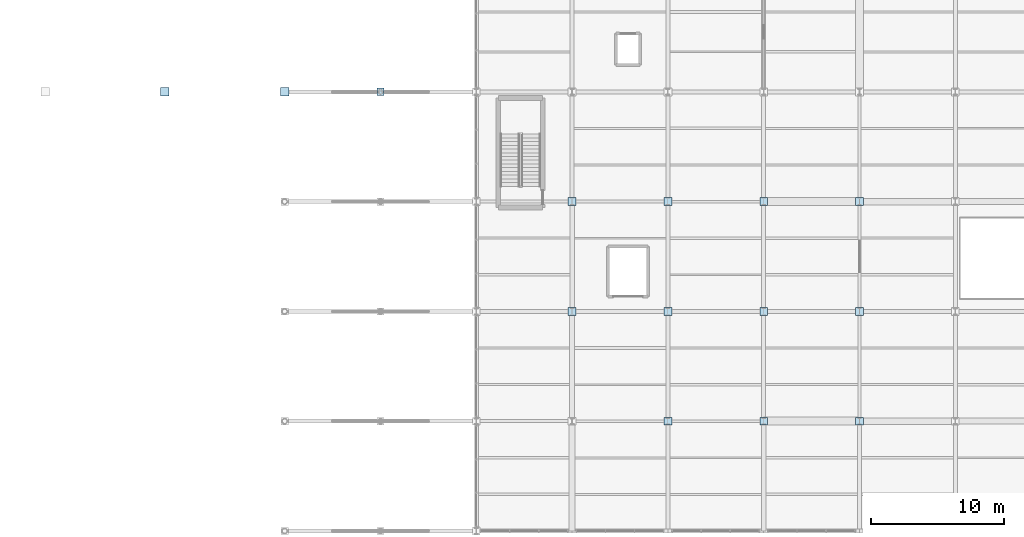
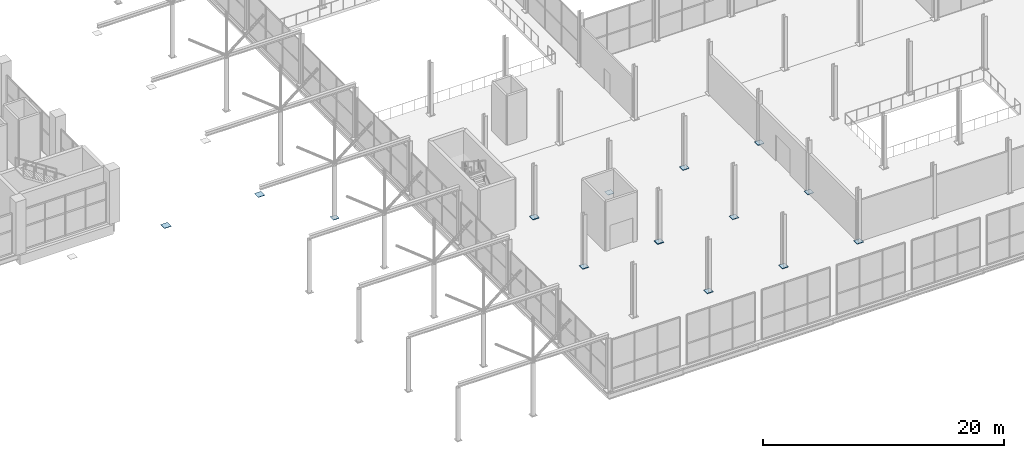
# One storey, part 122 of 147: 14 plates.
"""IFC4 building model written with IfcOpenShell, lengths in metres."""

import ifcopenshell
import ifcopenshell.guid

model = None  # the IFC model being written
_history = None  # IfcOwnerHistory: only IFC2X3 demands one
_inside = {}  # id of a spatial element -> (the spatial element, [elements in it])
_under = {}  # id of a project, library or spatial element -> (it, [spatial elements below it])
_declared = {}  # id of a project -> (the project, [libraries it declares])
_typed = {}  # id of a type object -> (the type object, [elements of that type])
_made_of = {}  # id of a material, layer set ... -> (it, [elements and type objects made of it])


def new_model(schema):
    """Start an empty IFC model of exactly this schema.

    Asked for "IFC4X3", IfcOpenShell would pick the latest addendum, in which some entities
    have other attributes; the version numbers below select the first issue.
    IFC2X3 requires an IfcOwnerHistory on every rooted entity: one is made here for all.
    """
    global model, _history
    if schema == "IFC4X3":
        model = ifcopenshell.file(schema_version=(4, 3, 0, 0))
    else:
        model = ifcopenshell.file(schema=schema)
    _inside.clear()
    _under.clear()
    _declared.clear()
    _typed.clear()
    _made_of.clear()
    _history = None
    if model.schema == "IFC2X3":
        org = make("IfcOrganization", Name="unknown")
        user = make(
            "IfcPersonAndOrganization",
            ThePerson=make("IfcPerson", FamilyName="unknown"),
            TheOrganization=org,
        )
        app = make(
            "IfcApplication",
            ApplicationDeveloper=org,
            Version="unknown",
            ApplicationFullName="unknown",
            ApplicationIdentifier="unknown",
        )
        _history = make(
            "IfcOwnerHistory",
            OwningUser=user,
            OwningApplication=app,
            ChangeAction="ADDED",
            CreationDate=0,
        )
    return model


def make(cls, **values):
    """One entity of the class cls with the attributes given. An attribute that is None is left unset."""
    return model.create_entity(
        cls, **{name: value for name, value in values.items() if value is not None}
    )


def rooted(cls, **values):
    """An entity with a GlobalId (a new one), such as an element, a storey or a relation."""
    return make(cls, GlobalId=ifcopenshell.guid.new(), OwnerHistory=_history, **values)


def si_unit(unit_type, name, prefix=None):
    """IfcSIUnit, for example si_unit("LENGTHUNIT", "METRE", prefix="MILLI")."""
    return make("IfcSIUnit", UnitType=unit_type, Prefix=prefix, Name=name)


def assignment(units):
    """IfcUnitAssignment: the units of a project."""
    return None if units is None else make("IfcUnitAssignment", Units=units)


def point(xyz):
    """IfcCartesianPoint."""
    return None if xyz is None else make("IfcCartesianPoint", Coordinates=xyz)


def direction(xyz):
    """IfcDirection."""
    return None if xyz is None else make("IfcDirection", DirectionRatios=xyz)


def frame(location, z_axis=None, x_axis=None):
    """IfcAxis2Placement3D, a coordinate frame: its origin and axes. An axis left out is left unset."""
    return make(
        "IfcAxis2Placement3D",
        Location=point(location),
        Axis=direction(z_axis),
        RefDirection=direction(x_axis),
    )


def frame_2d(location, x_axis=None):
    """IfcAxis2Placement2D, a coordinate frame in the plane: its origin and x axis."""
    return make(
        "IfcAxis2Placement2D", Location=point(location), RefDirection=direction(x_axis)
    )


def origin():
    """The frame at (0, 0, 0) with its axes left unset."""
    return frame((0.0, 0.0, 0.0))


def origin_2d():
    """The frame at (0, 0) in the plane with its x axis left unset."""
    return frame_2d((0.0, 0.0))


def place(relative_to, where):
    """IfcLocalPlacement: puts the frame where relative to a parent placement (None: the world)."""
    return make(
        "IfcLocalPlacement", PlacementRelTo=relative_to, RelativePlacement=where
    )


def context(
    kind, dimensions, precision=None, world=None, true_north=None, identifier=None
):
    """IfcGeometricRepresentationContext, for example the 3D "Model" context."""
    return make(
        "IfcGeometricRepresentationContext",
        ContextIdentifier=identifier,
        ContextType=kind,
        CoordinateSpaceDimension=dimensions,
        Precision=precision,
        WorldCoordinateSystem=world,
        TrueNorth=true_north,
    )


def subcontext(parent, identifier, kind, view, scale=None):
    """IfcGeometricRepresentationSubContext, for example "Body" below "Model"."""
    return make(
        "IfcGeometricRepresentationSubContext",
        ContextIdentifier=identifier,
        ContextType=kind,
        ParentContext=parent,
        TargetScale=scale,
        TargetView=view,
    )


def project(units=None, contexts=None):
    """IfcProject with its units and contexts."""
    return rooted(
        "IfcProject",
        Name="project",
        RepresentationContexts=contexts,
        UnitsInContext=assignment(units),
    )


def spatial(cls, under=None, at=None, **own):
    """A site, building, storey or space (cls), placed at a placement, below another one or the project."""
    s = rooted(cls, ObjectPlacement=at, **own)
    if under is not None:
        _under.setdefault(under.id(), (under, []))[1].append(s)
    return s


def profile(cls, at=None, kind="AREA", **sizes):
    """A parametric profile (cls). Its sizes go by their IFC names, for example OverallWidth=200.0."""
    return make(cls, ProfileType=kind, Position=at, **sizes)


def rectangle(**sizes):
    """IfcRectangleProfileDef."""
    return profile("IfcRectangleProfileDef", **sizes)


def extrude(swept, where, along, depth):
    """IfcExtrudedAreaSolid: the profile swept, set in the frame where, extruded along a direction by depth."""
    return make(
        "IfcExtrudedAreaSolid",
        SweptArea=swept,
        Position=where,
        ExtrudedDirection=direction(along),
        Depth=depth,
    )


def shape(context_of_items, identifier, shape_type, items):
    """IfcShapeRepresentation: the items that make up one representation, for example the "Body"."""
    return make(
        "IfcShapeRepresentation",
        ContextOfItems=context_of_items,
        RepresentationIdentifier=identifier,
        RepresentationType=shape_type,
        Items=items,
    )


def material(Name=None, Category=None):
    """IfcMaterial."""
    return make("IfcMaterial", Name=Name, Category=Category)


def layer(
    of_material, thickness, ventilated=None, Name=None, Category=None, Priority=None
):
    """IfcMaterialLayer: one layer of a wall or slab, of a material (None: an air gap)."""
    return make(
        "IfcMaterialLayer",
        Material=of_material,
        LayerThickness=thickness,
        IsVentilated=ventilated,
        Name=Name,
        Category=Category,
        Priority=Priority,
    )


def layer_set(layers, Name=None):
    """IfcMaterialLayerSet."""
    return make("IfcMaterialLayerSet", MaterialLayers=layers, LayerSetName=Name)


def made_of(thing, what):
    """Note that an element or type object is made of a material, layer set ...; save() writes the relation."""
    if what is not None:
        _made_of.setdefault(what.id(), (what, []))[1].append(thing)
    return thing


def type_object(cls, material=None, **own):
    """A type object (cls), such as IfcWallType, which elements share."""
    return made_of(rooted(cls, **own), material)


def element(
    cls,
    number,
    at=None,
    inside=None,
    cuts=None,
    type_object=None,
    material=None,
    context=None,
    identifier="Body",
    shape_type=None,
    held_by="IfcProductDefinitionShape",
    body=None,
    shapes=None,
    **own,
):
    """One element of the class cls, such as IfcWall. Its Tag is "e" and its number.

    at: its placement. inside: the storey or other place that contains it. cuts: it is an
    opening in that element (IfcRelVoidsElement). A single representation is given by context,
    identifier, shape_type and body (its items); several are given by shapes. held_by: the class
    of the entity that holds the representations. save() writes the other relations.
    """
    e = rooted(cls, Tag="e%d" % number, ObjectPlacement=at, **own)
    if body is not None:
        shapes = [shape(context, identifier, shape_type, body)]
    if shapes is not None:
        e.Representation = make(held_by, Representations=shapes)
    if inside is not None:
        _inside.setdefault(inside.id(), (inside, []))[1].append(e)
    if cuts is not None:
        rooted(
            "IfcRelVoidsElement", RelatingBuildingElement=cuts, RelatedOpeningElement=e
        )
    if type_object is not None:
        _typed.setdefault(type_object.id(), (type_object, []))[1].append(e)
    return made_of(e, material)


def aggregate(whole, parts):
    """IfcRelAggregates: a whole, such as a stair, and the parts it consists of."""
    return rooted("IfcRelAggregates", RelatingObject=whole, RelatedObjects=parts)


def save(model, path):
    """Write the relations noted so far, then the file.

    IfcRelAggregates (storeys below a building ...), IfcRelContainedInSpatialStructure (elements
    in a storey), IfcRelDefinesByType, IfcRelAssociatesMaterial and IfcRelDeclares: one each for
    every whole, place, type object, material and project.
    """
    for whole, parts in _under.values():
        aggregate(whole, parts)
    for where, things in _inside.values():
        rooted(
            "IfcRelContainedInSpatialStructure",
            RelatedElements=things,
            RelatingStructure=where,
        )
    for kind, things in _typed.values():
        rooted("IfcRelDefinesByType", RelatedObjects=things, RelatingType=kind)
    for what, things in _made_of.values():
        rooted("IfcRelAssociatesMaterial", RelatedObjects=things, RelatingMaterial=what)
    for by, libraries in _declared.values():
        rooted("IfcRelDeclares", RelatingContext=by, RelatedDefinitions=libraries)
    model.write(path)


model = new_model("IFC4")

# Units and contexts
model_context = context("Model", 3, precision=1e-05, world=origin(), true_north=direction((0.0, 1.0)))
body_context = subcontext(model_context, "Body", "Model", "MODEL_VIEW")
ifc_project = project(units=[si_unit("LENGTHUNIT", "METRE"), si_unit("AREAUNIT", "SQUARE_METRE"), si_unit("VOLUMEUNIT", "CUBIC_METRE"), si_unit("PLANEANGLEUNIT", "RADIAN"), si_unit("MASSUNIT", "GRAM", prefix="KILO")], contexts=[model_context])

# Site, building, storey
site_placement = place(None, origin())
site = spatial("IfcSite", under=ifc_project, at=site_placement, CompositionType="ELEMENT")
building_placement = place(site_placement, origin())
building = spatial("IfcBuilding", under=site, at=building_placement, Name="Sundgate Opera House", CompositionType="ELEMENT")
storey_placement = place(building_placement, frame((0.0, 0.0, 6.0)))
storey = spatial("IfcBuildingStorey", under=building, at=storey_placement, Name="L01", CompositionType="ELEMENT", Elevation=6.0)

# Plates
ifc_material_1 = material(Name="Steel S355J2", Category="steel")
ifc_layer_1 = layer(ifc_material_1, 0.02587890625)
ifc_layer_set_1 = layer_set([ifc_layer_1], Name="Steel S355J2")
plate_type_1 = type_object("IfcPlateType", Name="PT-BAS-26", PredefinedType="USERDEFINED", material=ifc_layer_set_1)
plate_1_placement = place(storey_placement, frame((109.800048828125, 24.75, 0.0), z_axis=(0.0, 0.0, 1.0), x_axis=(1.0, 0.0, 0.0)))
element("IfcPlate", 1, at=plate_1_placement, inside=storey, type_object=plate_type_1, Name="L01 Base Plate PT0260", ObjectType="BASE PLATE", PredefinedType="USERDEFINED", context=body_context, shape_type="SweptSolid", body=[
    extrude(rectangle(XDim=0.590087890625, YDim=0.590087890625, at=origin_2d()), origin(), (0.0, 0.0, 1.0), 0.02587890625),
])
ifc_material_2 = material(Name="Steel S355J2", Category="steel")
ifc_layer_2 = layer(ifc_material_2, 0.030029296875)
ifc_layer_set_2 = layer_set([ifc_layer_2], Name="Steel S355J2")
plate_type_2 = type_object("IfcPlateType", Name="PT-BAS-30", PredefinedType="USERDEFINED", material=ifc_layer_set_2)
plate_2_placement = place(storey_placement, frame((117.0, 16.5, 0.0), z_axis=(0.0, 0.0, 1.0), x_axis=(1.0, 0.0, 0.0)))
element("IfcPlate", 2, at=plate_2_placement, inside=storey, type_object=plate_type_2, Name="L01 Base Plate PT0276", ObjectType="BASE PLATE", PredefinedType="USERDEFINED", context=body_context, shape_type="SweptSolid", body=[
    extrude(rectangle(XDim=0.590087890625, YDim=0.590087890625, at=origin_2d()), origin(), (0.0, 0.0, 1.0), 0.030029296875),
])
ifc_material_3 = material(Name="Steel S355J2", Category="steel")
ifc_layer_3 = layer(ifc_material_3, 0.033935546875)
ifc_layer_set_3 = layer_set([ifc_layer_3], Name="Steel S355J2")
plate_type_3 = type_object("IfcPlateType", Name="PT-BAS-34", PredefinedType="USERDEFINED", material=ifc_layer_set_3)
plate_3_placement = place(storey_placement, frame((124.199951171875, 8.25, 0.0), z_axis=(0.0, 0.0, 1.0), x_axis=(1.0, 0.0, 0.0)))
element("IfcPlate", 3, at=plate_3_placement, inside=storey, type_object=plate_type_3, Name="L01 Base Plate PT0295", ObjectType="BASE PLATE", PredefinedType="USERDEFINED", context=body_context, shape_type="SweptSolid", body=[
    extrude(rectangle(XDim=0.590087890625, YDim=0.590087890625, at=origin_2d()), origin(), (0.0, 0.0, 1.0), 0.033935546875),
])
ifc_material_4 = material(Name="Steel S355J2", Category="steel")
ifc_layer_4 = layer(ifc_material_4, 0.035888671875)
ifc_layer_set_4 = layer_set([ifc_layer_4], Name="Steel S355J2")
plate_type_4 = type_object("IfcPlateType", Name="PT-BAS-36", PredefinedType="USERDEFINED", material=ifc_layer_set_4)
plate_4_placement = place(storey_placement, frame((88.199951171875, 33.0, 0.0), z_axis=(0.0, 0.0, 1.0), x_axis=(1.0, 0.0, 0.0)))
element("IfcPlate", 4, at=plate_4_placement, inside=storey, type_object=plate_type_4, Name="L01 Base Plate PT0189", ObjectType="BASE PLATE", PredefinedType="USERDEFINED", context=body_context, shape_type="SweptSolid", body=[
    extrude(rectangle(XDim=0.5458984375, YDim=0.5458984375, at=origin_2d()), origin(), (0.0, 0.0, 1.0), 0.035888671875),
])
plate_5_placement = place(storey_placement, frame((117.0, 24.75, 0.0), z_axis=(0.0, 0.0, 1.0), x_axis=(1.0, 0.0, 0.0)))
element("IfcPlate", 5, at=plate_5_placement, inside=storey, type_object=plate_type_4, Name="L01 Base Plate PT0279", ObjectType="BASE PLATE", PredefinedType="USERDEFINED", context=body_context, shape_type="SweptSolid", body=[
    extrude(rectangle(XDim=0.590087890625, YDim=0.590087890625, at=origin_2d()), origin(), (0.0, 0.0, 1.0), 0.035888671875),
])
ifc_material_5 = material(Name="Steel S355J2", Category="steel")
ifc_layer_5 = layer(ifc_material_5, 0.0400390625)
ifc_layer_set_5 = layer_set([ifc_layer_5], Name="Steel S355J2")
plate_type_5 = type_object("IfcPlateType", Name="PT-BAS-40", PredefinedType="USERDEFINED", material=ifc_layer_set_5)
plate_6_placement = place(storey_placement, frame((124.199951171875, 16.5, 0.0), z_axis=(0.0, 0.0, 1.0), x_axis=(1.0, 0.0, 0.0)))
element("IfcPlate", 6, at=plate_6_placement, inside=storey, type_object=plate_type_5, Name="L01 Base Plate PT0298", ObjectType="BASE PLATE", PredefinedType="USERDEFINED", context=body_context, shape_type="SweptSolid", body=[
    extrude(rectangle(XDim=0.590087890625, YDim=0.590087890625, at=origin_2d()), origin(), (0.0, 0.0, 1.0), 0.0400390625),
])
ifc_material_6 = material(Name="Steel S355J2", Category="steel")
ifc_layer_6 = layer(ifc_material_6, 0.044921875)
ifc_layer_set_6 = layer_set([ifc_layer_6], Name="Steel S355J2")
plate_type_6 = type_object("IfcPlateType", Name="PT-BAS-45", PredefinedType="USERDEFINED", material=ifc_layer_set_6)
plate_7_placement = place(storey_placement, frame((102.60009765625, 16.5, 0.0), z_axis=(0.0, 0.0, 1.0), x_axis=(1.0, 0.0, 0.0)))
element("IfcPlate", 7, at=plate_7_placement, inside=storey, type_object=plate_type_6, Name="L01 Base Plate PT0238", ObjectType="BASE PLATE", PredefinedType="USERDEFINED", context=body_context, shape_type="SweptSolid", body=[
    extrude(rectangle(XDim=0.590087890625, YDim=0.590087890625, at=origin_2d()), origin(), (0.0, 0.0, 1.0), 0.044921875),
])
ifc_material_7 = material(Name="Steel S355J2", Category="steel")
ifc_layer_7 = layer(ifc_material_7, 0.050048828125)
ifc_layer_set_7 = layer_set([ifc_layer_7], Name="Steel S355J2")
plate_type_7 = type_object("IfcPlateType", Name="PT-BAS-50", PredefinedType="USERDEFINED", material=ifc_layer_set_7)
for number, where, z_axis, x_axis, name in (
    (8, (109.800048828125, 8.25, 0.0), (0.0, 0.0, 1.0), (1.0, 0.0, 0.0), "L01 Base Plate PT0254"),
    (9, (124.199951171875, 24.75, 0.0), (0.0, 0.0, 1.0), (1.0, 0.0, 0.0), "L01 Base Plate PT0301"),
):
    element("IfcPlate", number, at=place(storey_placement, frame(where, z_axis=z_axis, x_axis=x_axis)), inside=storey, type_object=plate_type_7, Name=name, ObjectType="BASE PLATE", PredefinedType="USERDEFINED", context=body_context, shape_type="SweptSolid", body=[
        extrude(rectangle(XDim=0.590087890625, YDim=0.590087890625, at=origin_2d()), origin(), (0.0, 0.0, 1.0), 0.050048828125),
    ])
ifc_material_8 = material(Name="Steel S355J2", Category="steel")
ifc_layer_8 = layer(ifc_material_8, 0.055908203125)
ifc_layer_set_8 = layer_set([ifc_layer_8], Name="Steel S355J2")
plate_type_8 = type_object("IfcPlateType", Name="PT-BAS-56", PredefinedType="USERDEFINED", material=ifc_layer_set_8)
plate_8_placement = place(storey_placement, frame((117.0, 8.25, 0.0), z_axis=(0.0, 0.0, 1.0), x_axis=(1.0, 0.0, 0.0)))
element("IfcPlate", 10, at=plate_8_placement, inside=storey, type_object=plate_type_8, Name="L01 Base Plate PT0273", ObjectType="BASE PLATE", PredefinedType="USERDEFINED", context=body_context, shape_type="SweptSolid", body=[
    extrude(rectangle(XDim=0.590087890625, YDim=0.590087890625, at=origin_2d()), origin(), (0.0, 0.0, 1.0), 0.055908203125),
])
ifc_material_9 = material(Name="Steel S355J2", Category="steel")
ifc_layer_9 = layer(ifc_material_9, 0.06201171875)
ifc_layer_set_9 = layer_set([ifc_layer_9], Name="Steel S355J2")
plate_type_9 = type_object("IfcPlateType", Name="PT-BAS-62", PredefinedType="USERDEFINED", material=ifc_layer_set_9)
plate_9_placement = place(storey_placement, frame((109.800048828125, 16.5, 0.0), z_axis=(0.0, 0.0, 1.0), x_axis=(1.0, 0.0, 0.0)))
element("IfcPlate", 11, at=plate_9_placement, inside=storey, type_object=plate_type_9, Name="L01 Base Plate PT0257", ObjectType="BASE PLATE", PredefinedType="USERDEFINED", context=body_context, shape_type="SweptSolid", body=[
    extrude(rectangle(XDim=0.590087890625, YDim=0.590087890625, at=origin_2d()), origin(), (0.0, 0.0, 1.0), 0.06201171875),
])
ifc_material_10 = material(Name="Steel S355J2", Category="steel")
ifc_layer_10 = layer(ifc_material_10, 0.068115234375)
ifc_layer_set_10 = layer_set([ifc_layer_10], Name="Steel S355J2")
plate_type_10 = type_object("IfcPlateType", Name="PT-BAS-68", PredefinedType="USERDEFINED", material=ifc_layer_set_10)
plate_10_placement = place(storey_placement, frame((102.60009765625, 24.75, 0.0), z_axis=(0.0, 0.0, 1.0), x_axis=(1.0, 0.0, 0.0)))
element("IfcPlate", 12, at=plate_10_placement, inside=storey, type_object=plate_type_10, Name="L01 Base Plate PT0241", ObjectType="BASE PLATE", PredefinedType="USERDEFINED", context=body_context, shape_type="SweptSolid", body=[
    extrude(rectangle(XDim=0.590087890625, YDim=0.590087890625, at=origin_2d()), origin(), (0.0, 0.0, 1.0), 0.068115234375),
])
ifc_material_11 = material(Name="Steel S355J2", Category="steel")
ifc_layer_11 = layer(ifc_material_11, 0.031982421875)
ifc_layer_set_11 = layer_set([ifc_layer_11], Name="Steel S355J2")
plate_type_11 = type_object("IfcPlateType", Name="PT-GUS-32", PredefinedType="USERDEFINED", material=ifc_layer_set_11)
plate_11_placement = place(storey_placement, frame((81.0, 33.0, 4.8740234375), z_axis=(0.0, 0.0, 1.0), x_axis=(1.0, 0.0, 0.0)))
element("IfcPlate", 13, at=plate_11_placement, inside=storey, type_object=plate_type_11, Name="Cantilever Node Gusset Plate PT0446", ObjectType="GUSSET PLATE", PredefinedType="USERDEFINED", context=body_context, shape_type="SweptSolid", body=[
    extrude(rectangle(XDim=0.64990234375, YDim=0.64990234375, at=origin_2d()), origin(), (0.0, 0.0, 1.0), 0.031982421875),
])
ifc_material_12 = material(Name="Steel S355J2", Category="steel")
ifc_layer_12 = layer(ifc_material_12, 0.0380859375)
ifc_layer_set_12 = layer_set([ifc_layer_12], Name="Steel S355J2")
plate_type_12 = type_object("IfcPlateType", Name="PT-GUS-38", PredefinedType="USERDEFINED", material=ifc_layer_set_12)
plate_12_placement = place(storey_placement, frame((72.0, 33.0, 4.870849609375), z_axis=(0.0, 0.0, 1.0), x_axis=(1.0, 0.0, 0.0)))
element("IfcPlate", 14, at=plate_12_placement, inside=storey, type_object=plate_type_12, Name="Cantilever Node Gusset Plate PT0412", ObjectType="GUSSET PLATE", PredefinedType="USERDEFINED", context=body_context, shape_type="SweptSolid", body=[
    extrude(rectangle(XDim=0.64990234375, YDim=0.64990234375, at=origin_2d()), origin(), (0.0, 0.0, 1.0), 0.0380859375),
])

save(model, "model.ifc")
